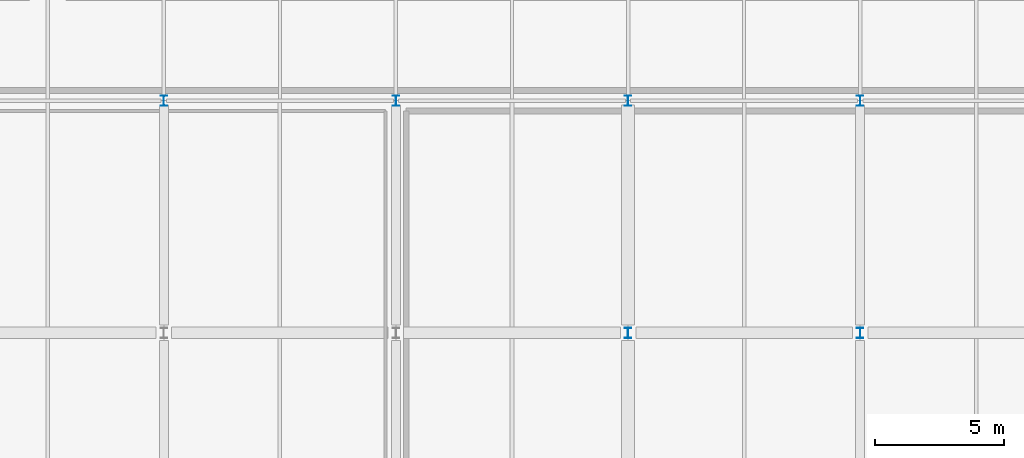
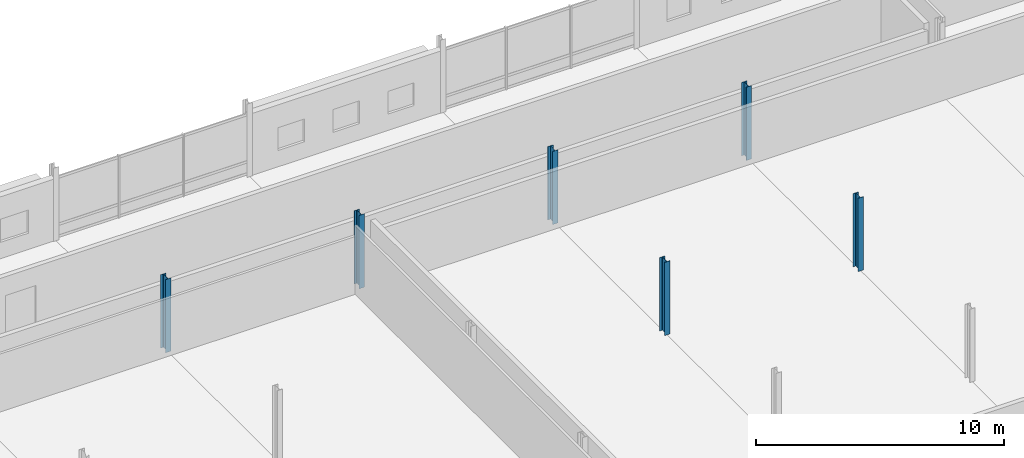
# One storey, part 9 of 132: 6 columns.
"""IFC4 building model written with IfcOpenShell, lengths in metres."""

import ifcopenshell
import ifcopenshell.guid

model = None  # the IFC model being written
_history = None  # IfcOwnerHistory: only IFC2X3 demands one
_inside = {}  # id of a spatial element -> (the spatial element, [elements in it])
_under = {}  # id of a project, library or spatial element -> (it, [spatial elements below it])
_declared = {}  # id of a project -> (the project, [libraries it declares])
_typed = {}  # id of a type object -> (the type object, [elements of that type])
_made_of = {}  # id of a material, layer set ... -> (it, [elements and type objects made of it])


def new_model(schema):
    """Start an empty IFC model of exactly this schema.

    Asked for "IFC4X3", IfcOpenShell would pick the latest addendum, in which some entities
    have other attributes; the version numbers below select the first issue.
    IFC2X3 requires an IfcOwnerHistory on every rooted entity: one is made here for all.
    """
    global model, _history
    if schema == "IFC4X3":
        model = ifcopenshell.file(schema_version=(4, 3, 0, 0))
    else:
        model = ifcopenshell.file(schema=schema)
    _inside.clear()
    _under.clear()
    _declared.clear()
    _typed.clear()
    _made_of.clear()
    _history = None
    if model.schema == "IFC2X3":
        org = make("IfcOrganization", Name="unknown")
        user = make(
            "IfcPersonAndOrganization",
            ThePerson=make("IfcPerson", FamilyName="unknown"),
            TheOrganization=org,
        )
        app = make(
            "IfcApplication",
            ApplicationDeveloper=org,
            Version="unknown",
            ApplicationFullName="unknown",
            ApplicationIdentifier="unknown",
        )
        _history = make(
            "IfcOwnerHistory",
            OwningUser=user,
            OwningApplication=app,
            ChangeAction="ADDED",
            CreationDate=0,
        )
    return model


def make(cls, **values):
    """One entity of the class cls with the attributes given. An attribute that is None is left unset."""
    return model.create_entity(
        cls, **{name: value for name, value in values.items() if value is not None}
    )


def rooted(cls, **values):
    """An entity with a GlobalId (a new one), such as an element, a storey or a relation."""
    return make(cls, GlobalId=ifcopenshell.guid.new(), OwnerHistory=_history, **values)


def si_unit(unit_type, name, prefix=None):
    """IfcSIUnit, for example si_unit("LENGTHUNIT", "METRE", prefix="MILLI")."""
    return make("IfcSIUnit", UnitType=unit_type, Prefix=prefix, Name=name)


def assignment(units):
    """IfcUnitAssignment: the units of a project."""
    return None if units is None else make("IfcUnitAssignment", Units=units)


def point(xyz):
    """IfcCartesianPoint."""
    return None if xyz is None else make("IfcCartesianPoint", Coordinates=xyz)


def direction(xyz):
    """IfcDirection."""
    return None if xyz is None else make("IfcDirection", DirectionRatios=xyz)


def frame(location, z_axis=None, x_axis=None):
    """IfcAxis2Placement3D, a coordinate frame: its origin and axes. An axis left out is left unset."""
    return make(
        "IfcAxis2Placement3D",
        Location=point(location),
        Axis=direction(z_axis),
        RefDirection=direction(x_axis),
    )


def frame_2d(location, x_axis=None):
    """IfcAxis2Placement2D, a coordinate frame in the plane: its origin and x axis."""
    return make(
        "IfcAxis2Placement2D", Location=point(location), RefDirection=direction(x_axis)
    )


def origin():
    """The frame at (0, 0, 0) with its axes left unset."""
    return frame((0.0, 0.0, 0.0))


def origin_2d():
    """The frame at (0, 0) in the plane with its x axis left unset."""
    return frame_2d((0.0, 0.0))


def place(relative_to, where):
    """IfcLocalPlacement: puts the frame where relative to a parent placement (None: the world)."""
    return make(
        "IfcLocalPlacement", PlacementRelTo=relative_to, RelativePlacement=where
    )


def context(
    kind, dimensions, precision=None, world=None, true_north=None, identifier=None
):
    """IfcGeometricRepresentationContext, for example the 3D "Model" context."""
    return make(
        "IfcGeometricRepresentationContext",
        ContextIdentifier=identifier,
        ContextType=kind,
        CoordinateSpaceDimension=dimensions,
        Precision=precision,
        WorldCoordinateSystem=world,
        TrueNorth=true_north,
    )


def subcontext(parent, identifier, kind, view, scale=None):
    """IfcGeometricRepresentationSubContext, for example "Body" below "Model"."""
    return make(
        "IfcGeometricRepresentationSubContext",
        ContextIdentifier=identifier,
        ContextType=kind,
        ParentContext=parent,
        TargetScale=scale,
        TargetView=view,
    )


def project(units=None, contexts=None):
    """IfcProject with its units and contexts."""
    return rooted(
        "IfcProject",
        Name="project",
        RepresentationContexts=contexts,
        UnitsInContext=assignment(units),
    )


def spatial(cls, under=None, at=None, **own):
    """A site, building, storey or space (cls), placed at a placement, below another one or the project."""
    s = rooted(cls, ObjectPlacement=at, **own)
    if under is not None:
        _under.setdefault(under.id(), (under, []))[1].append(s)
    return s


def profile(cls, at=None, kind="AREA", **sizes):
    """A parametric profile (cls). Its sizes go by their IFC names, for example OverallWidth=200.0."""
    return make(cls, ProfileType=kind, Position=at, **sizes)


def i_section(**sizes):
    """IfcIShapeProfileDef."""
    return profile("IfcIShapeProfileDef", **sizes)


def extrude(swept, where, along, depth):
    """IfcExtrudedAreaSolid: the profile swept, set in the frame where, extruded along a direction by depth."""
    return make(
        "IfcExtrudedAreaSolid",
        SweptArea=swept,
        Position=where,
        ExtrudedDirection=direction(along),
        Depth=depth,
    )


def shape(context_of_items, identifier, shape_type, items):
    """IfcShapeRepresentation: the items that make up one representation, for example the "Body"."""
    return make(
        "IfcShapeRepresentation",
        ContextOfItems=context_of_items,
        RepresentationIdentifier=identifier,
        RepresentationType=shape_type,
        Items=items,
    )


def material(Name=None, Category=None):
    """IfcMaterial."""
    return make("IfcMaterial", Name=Name, Category=Category)


def material_profile(
    of_material, cross_section, Name=None, Category=None, Priority=None
):
    """IfcMaterialProfile: a cross section and its material."""
    return make(
        "IfcMaterialProfile",
        Name=Name,
        Material=of_material,
        Profile=cross_section,
        Priority=Priority,
        Category=Category,
    )


def profile_set(profiles, Name=None, composite=None):
    """IfcMaterialProfileSet."""
    return make(
        "IfcMaterialProfileSet",
        Name=Name,
        MaterialProfiles=profiles,
        CompositeProfile=composite,
    )


def made_of(thing, what):
    """Note that an element or type object is made of a material, layer set ...; save() writes the relation."""
    if what is not None:
        _made_of.setdefault(what.id(), (what, []))[1].append(thing)
    return thing


def type_object(cls, material=None, **own):
    """A type object (cls), such as IfcWallType, which elements share."""
    return made_of(rooted(cls, **own), material)


def element(
    cls,
    number,
    at=None,
    inside=None,
    cuts=None,
    type_object=None,
    material=None,
    context=None,
    identifier="Body",
    shape_type=None,
    held_by="IfcProductDefinitionShape",
    body=None,
    shapes=None,
    **own,
):
    """One element of the class cls, such as IfcWall. Its Tag is "e" and its number.

    at: its placement. inside: the storey or other place that contains it. cuts: it is an
    opening in that element (IfcRelVoidsElement). A single representation is given by context,
    identifier, shape_type and body (its items); several are given by shapes. held_by: the class
    of the entity that holds the representations. save() writes the other relations.
    """
    e = rooted(cls, Tag="e%d" % number, ObjectPlacement=at, **own)
    if body is not None:
        shapes = [shape(context, identifier, shape_type, body)]
    if shapes is not None:
        e.Representation = make(held_by, Representations=shapes)
    if inside is not None:
        _inside.setdefault(inside.id(), (inside, []))[1].append(e)
    if cuts is not None:
        rooted(
            "IfcRelVoidsElement", RelatingBuildingElement=cuts, RelatedOpeningElement=e
        )
    if type_object is not None:
        _typed.setdefault(type_object.id(), (type_object, []))[1].append(e)
    return made_of(e, material)


def aggregate(whole, parts):
    """IfcRelAggregates: a whole, such as a stair, and the parts it consists of."""
    return rooted("IfcRelAggregates", RelatingObject=whole, RelatedObjects=parts)


def save(model, path):
    """Write the relations noted so far, then the file.

    IfcRelAggregates (storeys below a building ...), IfcRelContainedInSpatialStructure (elements
    in a storey), IfcRelDefinesByType, IfcRelAssociatesMaterial and IfcRelDeclares: one each for
    every whole, place, type object, material and project.
    """
    for whole, parts in _under.values():
        aggregate(whole, parts)
    for where, things in _inside.values():
        rooted(
            "IfcRelContainedInSpatialStructure",
            RelatedElements=things,
            RelatingStructure=where,
        )
    for kind, things in _typed.values():
        rooted("IfcRelDefinesByType", RelatedObjects=things, RelatingType=kind)
    for what, things in _made_of.values():
        rooted("IfcRelAssociatesMaterial", RelatedObjects=things, RelatingMaterial=what)
    for by, libraries in _declared.values():
        rooted("IfcRelDeclares", RelatingContext=by, RelatedDefinitions=libraries)
    model.write(path)


model = new_model("IFC4")

# Units and contexts
model_context = context("Model", 3, precision=1e-05, world=origin(), true_north=direction((0.0, 1.0)))
body_context = subcontext(model_context, "Body", "Model", "MODEL_VIEW")
ifc_project = project(units=[si_unit("LENGTHUNIT", "METRE"), si_unit("AREAUNIT", "SQUARE_METRE"), si_unit("VOLUMEUNIT", "CUBIC_METRE"), si_unit("PLANEANGLEUNIT", "RADIAN"), si_unit("MASSUNIT", "GRAM", prefix="KILO")], contexts=[model_context])

# Site, building, storey
site_placement = place(None, origin())
site = spatial("IfcSite", under=ifc_project, at=site_placement, CompositionType="ELEMENT")
building_placement = place(site_placement, origin())
building = spatial("IfcBuilding", under=site, at=building_placement, Name="Tharagai Park Tramway Depot", CompositionType="ELEMENT")
storey_placement = place(building_placement, frame((0.0, 0.0, 4.800048828125)))
storey = spatial("IfcBuildingStorey", under=building, at=storey_placement, Name="L01", CompositionType="ELEMENT", Elevation=4.800048828125)

# Columns
ifc_material = material(Name="Steel E350", Category="steel")
ifc_material_profile = material_profile(ifc_material, i_section(OverallWidth=0.25, OverallDepth=0.39990234375, WebThickness=0.010498046875, FlangeThickness=0.0126953125, FilletRadius=0.013916015625, at=origin_2d()), Name="ISHB 400")
ifc_profile_set = profile_set([ifc_material_profile], Name="Steel E350")
column_type = type_object("IfcColumnType", Name="CL-06", PredefinedType="COLUMN", material=ifc_profile_set)
for number, where, z_axis, x_axis, name in (
    (1, (36.0, 90.0, 0.0), (0.0, 0.0, 1.0), (1.0, 0.0, 0.0), "L01 Structural Column CL-06 (36,90)"),
    (2, (45.0, 90.0, 0.0), (0.0, 0.0, 1.0), (1.0, 0.0, 0.0), "L01 Structural Column CL-06 (45,90)"),
    (3, (54.0, 81.0, 0.0), (0.0, 0.0, 1.0), (1.0, 0.0, 0.0), "L01 Structural Column CL-06 (54,81)"),
    (4, (54.0, 90.0, 0.0), (0.0, 0.0, 1.0), (1.0, 0.0, 0.0), "L01 Structural Column CL-06 (54,90)"),
    (5, (63.0, 81.0, 0.0), (0.0, 0.0, 1.0), (1.0, 0.0, 0.0), "L01 Structural Column CL-06 (63,81)"),
    (6, (63.0, 90.0, 0.0), (0.0, 0.0, 1.0), (1.0, 0.0, 0.0), "L01 Structural Column CL-06 (63,90)"),
):
    element("IfcColumn", number, at=place(storey_placement, frame(where, z_axis=z_axis, x_axis=x_axis)), inside=storey, type_object=column_type, Name=name, PredefinedType="COLUMN", context=body_context, shape_type="SweptSolid", body=[
        extrude(i_section(OverallWidth=0.25, OverallDepth=0.39990234375, WebThickness=0.010498046875, FlangeThickness=0.0126953125, FilletRadius=0.013916015625, at=origin_2d()), origin(), (0.0, 0.0, 1.0), 3.599853515625),
    ])

save(model, "model.ifc")
